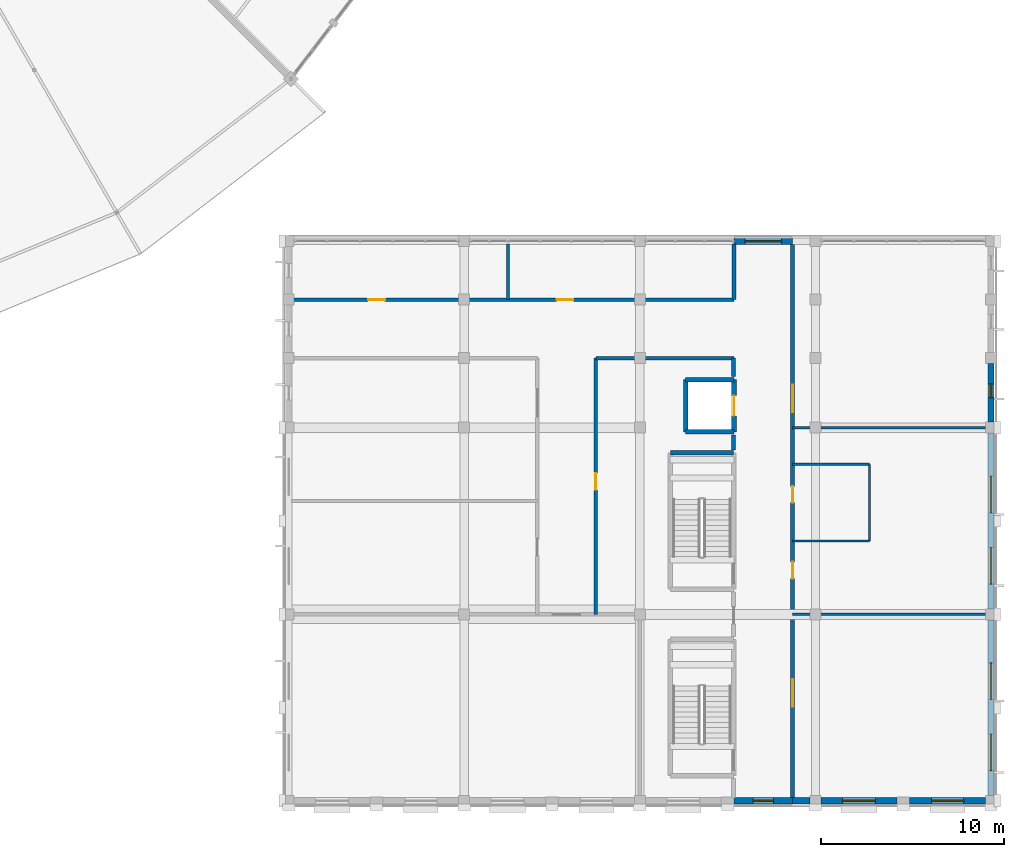
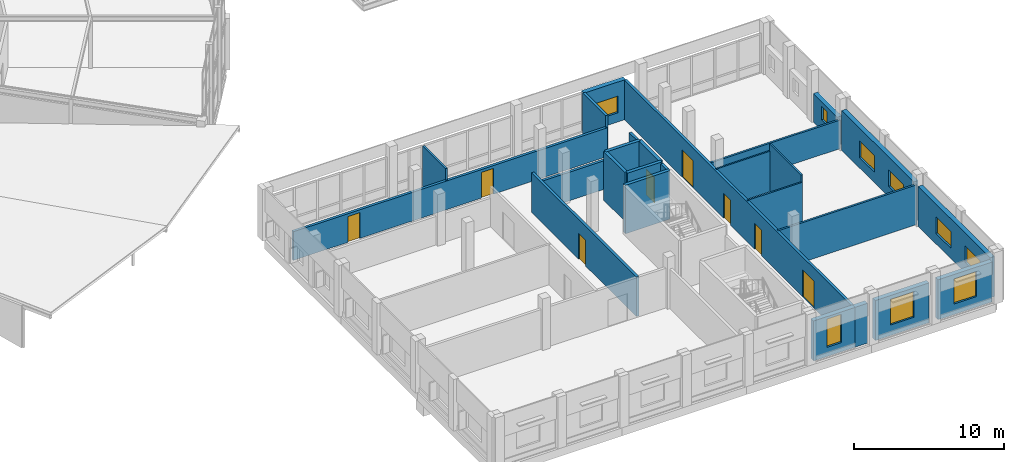
# One storey, part 165 of 185: 26 walls, 9 windows, 8 doors, 17 openings.
"""IFC4 building model written with IfcOpenShell, lengths in metres."""

from ifc_helpers import new_model, si_unit, direction, frame, frame_2d, origin, place, context, subcontext, project, spatial, rectangle, extrude, material, layer, layer_set, type_object, element, fill, save


model = new_model("IFC4")

# Units and contexts
model_context = context("Model", 3, precision=1e-05, world=origin(), true_north=direction((0.0, 1.0)))
body_context = subcontext(model_context, "Body", "Model", "MODEL_VIEW")
ifc_project = project(units=[si_unit("LENGTHUNIT", "METRE"), si_unit("AREAUNIT", "SQUARE_METRE"), si_unit("VOLUMEUNIT", "CUBIC_METRE"), si_unit("PLANEANGLEUNIT", "RADIAN"), si_unit("MASSUNIT", "GRAM", prefix="KILO")], contexts=[model_context])

# Site, building, storey
site_placement = place(None, origin())
site = spatial("IfcSite", under=ifc_project, at=site_placement, CompositionType="ELEMENT")
building_placement = place(site_placement, origin())
building = spatial("IfcBuilding", under=site, at=building_placement, Name="Vondelvale Polytechnic", CompositionType="ELEMENT")
storey_placement = place(building_placement, frame((0.0, 0.0, 9.60009765625)))
storey = spatial("IfcBuildingStorey", under=building, at=storey_placement, Name="L02", CompositionType="ELEMENT", Elevation=9.60009765625)

# Wall, opening, window
ifc_material_1 = material(Name="Amsterdam School iron-spot clinker clay brickwork", Category="masonry")
ifc_layer_1 = layer(ifc_material_1, 0.35009765625)
ifc_layer_set_1 = layer_set([ifc_layer_1], Name="WL-BRICK-350")
wall_type_1 = type_object("IfcWallType", Name="WL-BRICK-350", PredefinedType="SOLIDWALL", material=ifc_layer_set_1)
wall_1_placement = place(storey_placement, frame((161.949951171875, 0.0, 0.0), z_axis=(0.0, 0.0, 1.0), x_axis=(-1.0, 0.0, 0.0)))
wall_1 = element("IfcWall", 1, at=wall_1_placement, inside=storey, type_object=wall_type_1, Name="L02 exterior masonry facade wall", PredefinedType="SOLIDWALL", context=body_context, shape_type="SweptSolid", body=[
    extrude(rectangle(XDim=3.198974609375, YDim=0.35009765625, at=frame_2d((1.599609375, 0.0))), origin(), (0.0, 0.0, 1.0), 3.25),
])
opening_1_placement = place(wall_1_placement, frame((1.049560546875, 0.0, 0.75)))
opening_1 = element("IfcOpeningElement", 2, at=opening_1_placement, cuts=wall_1, Name="Opening WN-0374", PredefinedType="OPENING", context=body_context, shape_type="SweptSolid", body=[
    extrude(rectangle(XDim=1.10009765625, YDim=2.300048828125, at=frame_2d((0.550048828125, 1.14990234375))), frame((0.0, 0.18505859375, 0.0), z_axis=(0.0, -1.0, 0.0), x_axis=(1.0, 0.0, 0.0)), (0.0, 0.0, 1.0), 0.3701171875),
])
ifc_material_2 = material(Name="Double-glazed low-E insulated architectural glass", Category="glass")
window_type_1 = type_object("IfcWindowType", Name="WN-ARCH-1100x2300", PartitioningType="SINGLE_PANEL", PredefinedType="WINDOW", material=ifc_material_2)
window_1_placement = place(opening_1_placement, origin())
window_1 = element("IfcWindow", 3, at=window_1_placement, inside=storey, type_object=window_type_1, Name="L02 double-glazed architectural window WN-0374", OverallHeight=2.300048828125, OverallWidth=1.10009765625, PartitioningType="SINGLE_PANEL", PredefinedType="WINDOW", context=body_context, shape_type="SweptSolid", body=[
    extrude(rectangle(XDim=1.10009765625, YDim=2.300048828125, at=frame_2d((0.550048828125, 1.14990234375))), frame((0.0, 0.030029296875, 0.0), z_axis=(0.0, -1.0, 0.0), x_axis=(1.0, 0.0, 0.0)), (0.0, 0.0, 1.0), 0.06005859375),
])
fill(opening_1, window_1)

# Wall
wall_2_placement = place(storey_placement, frame((162.89892578125, 0.0, 0.0), z_axis=(0.0, 0.0, 1.0), x_axis=(-1.0, 0.0, 0.0)))
element("IfcWall", 4, at=wall_2_placement, inside=storey, type_object=wall_type_1, Name="L02 exterior masonry facade wall", PredefinedType="SOLIDWALL", context=body_context, shape_type="SweptSolid", body=[
    extrude(rectangle(XDim=0.948974609375, YDim=0.35009765625, at=frame_2d((0.474609375, 0.0))), origin(), (0.0, 0.0, 1.0), 3.25),
])

# Wall, opening, window
wall_3_placement = place(storey_placement, frame((167.64892578125, 0.0, 0.0), z_axis=(0.0, 0.0, 1.0), x_axis=(-1.0, 0.0, 0.0)))
wall_3 = element("IfcWall", 5, at=wall_3_placement, inside=storey, type_object=wall_type_1, Name="L02 exterior masonry facade wall", PredefinedType="SOLIDWALL", context=body_context, shape_type="SweptSolid", body=[
    extrude(rectangle(XDim=4.14794921875, YDim=0.35009765625, at=frame_2d((2.073974609375, 0.0))), origin(), (0.0, 0.0, 1.0), 3.25),
])
opening_2_placement = place(wall_3_placement, frame((1.174072265625, 0.0, 0.85009765625)))
opening_2 = element("IfcOpeningElement", 6, at=opening_2_placement, cuts=wall_3, Name="Opening WN-0375", PredefinedType="OPENING", context=body_context, shape_type="SweptSolid", body=[
    extrude(rectangle(XDim=1.800048828125, YDim=2.10009765625, at=frame_2d((0.89990234375, 1.050048828125))), frame((0.0, 0.18505859375, 0.0), z_axis=(0.0, -1.0, 0.0), x_axis=(1.0, 0.0, 0.0)), (0.0, 0.0, 1.0), 0.3701171875),
])
window_type_2 = type_object("IfcWindowType", Name="WN-LAB-1800x2100", PartitioningType="SINGLE_PANEL", PredefinedType="WINDOW", material=ifc_material_2)
window_2_placement = place(opening_2_placement, origin())
window_2 = element("IfcWindow", 7, at=window_2_placement, inside=storey, type_object=window_type_2, Name="L02 double-glazed architectural window WN-0375", OverallHeight=2.10009765625, OverallWidth=1.800048828125, PartitioningType="SINGLE_PANEL", PredefinedType="WINDOW", context=body_context, shape_type="SweptSolid", body=[
    extrude(rectangle(XDim=1.800048828125, YDim=2.10009765625, at=frame_2d((0.89990234375, 1.050048828125))), frame((0.0, 0.030029296875, 0.0), z_axis=(0.0, -1.0, 0.0), x_axis=(1.0, 0.0, 0.0)), (0.0, 0.0, 1.0), 0.06005859375),
])
fill(opening_2, window_2)

wall_4_placement = place(storey_placement, frame((172.4990234375, 0.0, 0.0), z_axis=(0.0, 0.0, 1.0), x_axis=(-1.0, 0.0, 0.0)))
wall_4 = element("IfcWall", 8, at=wall_4_placement, inside=storey, type_object=wall_type_1, Name="L02 exterior masonry facade wall", PredefinedType="SOLIDWALL", context=body_context, shape_type="SweptSolid", body=[
    extrude(rectangle(XDim=4.14794921875, YDim=0.35009765625, at=frame_2d((2.073974609375, 0.0))), origin(), (0.0, 0.0, 1.0), 3.25),
])
opening_3_placement = place(wall_4_placement, frame((1.198974609375, 0.0, 0.85009765625)))
opening_3 = element("IfcOpeningElement", 9, at=opening_3_placement, cuts=wall_4, Name="Opening WN-0376", PredefinedType="OPENING", context=body_context, shape_type="SweptSolid", body=[
    extrude(rectangle(XDim=1.75, YDim=2.050048828125, at=frame_2d((0.875, 1.02490234375))), frame((0.0, 0.18505859375, 0.0), z_axis=(0.0, -1.0, 0.0), x_axis=(1.0, 0.0, 0.0)), (0.0, 0.0, 1.0), 0.3701171875),
])
window_type_3 = type_object("IfcWindowType", Name="WN-LAB-1750x2050", PartitioningType="SINGLE_PANEL", PredefinedType="WINDOW", material=ifc_material_2)
window_3_placement = place(opening_3_placement, origin())
window_3 = element("IfcWindow", 10, at=window_3_placement, inside=storey, type_object=window_type_3, Name="L02 double-glazed architectural window WN-0376", OverallHeight=2.050048828125, OverallWidth=1.75, PartitioningType="SINGLE_PANEL", PredefinedType="WINDOW", context=body_context, shape_type="SweptSolid", body=[
    extrude(rectangle(XDim=1.75, YDim=2.050048828125, at=frame_2d((0.875, 1.02490234375))), frame((0.0, 0.030029296875, 0.0), z_axis=(0.0, -1.0, 0.0), x_axis=(1.0, 0.0, 0.0)), (0.0, 0.0, 1.0), 0.06005859375),
])
fill(opening_3, window_3)

# Wall, openings, windows
wall_5_placement = place(storey_placement, frame((172.800048828125, 9.89892578125, 0.0), z_axis=(0.0, 0.0, 1.0), x_axis=(0.0, -1.0, 0.0)))
wall_5 = element("IfcWall", 11, at=wall_5_placement, inside=storey, type_object=wall_type_1, Name="L02 exterior masonry facade wall", PredefinedType="SOLIDWALL", context=body_context, shape_type="SweptSolid", body=[
    extrude(rectangle(XDim=9.597900390625, YDim=0.35009765625, at=frame_2d((4.798828125, 0.0))), origin(), (0.0, 0.0, 1.0), 3.25),
])
opening_4_placement = place(wall_5_placement, frame((6.248046875, 0.0, 0.85009765625)))
opening_4 = element("IfcOpeningElement", 12, at=opening_4_placement, cuts=wall_5, Name="Opening WN-0384", PredefinedType="OPENING", context=body_context, shape_type="SweptSolid", body=[
    extrude(rectangle(XDim=2.0, YDim=1.35009765625, at=frame_2d((1.0, 0.675048828125))), frame((0.0, 0.18505859375, 0.0), z_axis=(0.0, -1.0, 0.0), x_axis=(1.0, 0.0, 0.0)), (0.0, 0.0, 1.0), 0.3701171875),
])
opening_5_placement = place(wall_5_placement, frame((2.347900390625, 0.0, 0.85009765625)))
opening_5 = element("IfcOpeningElement", 13, at=opening_5_placement, cuts=wall_5, Name="Opening WN-0385", PredefinedType="OPENING", context=body_context, shape_type="SweptSolid", body=[
    extrude(rectangle(XDim=2.0, YDim=1.35009765625, at=frame_2d((1.0, 0.675048828125))), frame((0.0, 0.18505859375, 0.0), z_axis=(0.0, -1.0, 0.0), x_axis=(1.0, 0.0, 0.0)), (0.0, 0.0, 1.0), 0.3701171875),
])
window_type_4 = type_object("IfcWindowType", Name="WN-RIB-2000x1350", PartitioningType="SINGLE_PANEL", PredefinedType="WINDOW", material=ifc_material_2)
window_4_placement = place(opening_4_placement, origin())
window_4 = element("IfcWindow", 14, at=window_4_placement, inside=storey, type_object=window_type_4, Name="L02 double-glazed architectural window WN-0384", OverallHeight=1.35009765625, OverallWidth=2.0, PartitioningType="SINGLE_PANEL", PredefinedType="WINDOW", context=body_context, shape_type="SweptSolid", body=[
    extrude(rectangle(XDim=2.0, YDim=1.35009765625, at=frame_2d((1.0, 0.675048828125))), frame((0.0, 0.030029296875, 0.0), z_axis=(0.0, -1.0, 0.0), x_axis=(1.0, 0.0, 0.0)), (0.0, 0.0, 1.0), 0.06005859375),
])
fill(opening_4, window_4)
window_5_placement = place(opening_5_placement, origin())
window_5 = element("IfcWindow", 15, at=window_5_placement, inside=storey, type_object=window_type_4, Name="L02 double-glazed architectural window WN-0385", OverallHeight=1.35009765625, OverallWidth=2.0, PartitioningType="SINGLE_PANEL", PredefinedType="WINDOW", context=body_context, shape_type="SweptSolid", body=[
    extrude(rectangle(XDim=2.0, YDim=1.35009765625, at=frame_2d((1.0, 0.675048828125))), frame((0.0, 0.030029296875, 0.0), z_axis=(0.0, -1.0, 0.0), x_axis=(1.0, 0.0, 0.0)), (0.0, 0.0, 1.0), 0.06005859375),
])
fill(opening_5, window_5)

wall_6_placement = place(storey_placement, frame((172.800048828125, 20.09912109375, 0.0), z_axis=(0.0, 0.0, 1.0), x_axis=(0.0, -1.0, 0.0)))
wall_6 = element("IfcWall", 16, at=wall_6_placement, inside=storey, type_object=wall_type_1, Name="L02 exterior masonry facade wall", PredefinedType="SOLIDWALL", context=body_context, shape_type="SweptSolid", body=[
    extrude(rectangle(XDim=9.59814453125, YDim=0.35009765625, at=frame_2d((4.799072265625, 0.0))), origin(), (0.0, 0.0, 1.0), 3.25),
])
opening_6_placement = place(wall_6_placement, frame((6.248046875, 0.0, 0.85009765625)))
opening_6 = element("IfcOpeningElement", 17, at=opening_6_placement, cuts=wall_6, Name="Opening WN-0386", PredefinedType="OPENING", context=body_context, shape_type="SweptSolid", body=[
    extrude(rectangle(XDim=2.0, YDim=1.35009765625, at=frame_2d((1.0, 0.675048828125))), frame((0.0, 0.18505859375, 0.0), z_axis=(0.0, -1.0, 0.0), x_axis=(1.0, 0.0, 0.0)), (0.0, 0.0, 1.0), 0.3701171875),
])
opening_7_placement = place(wall_6_placement, frame((2.347900390625, 0.0, 0.85009765625)))
opening_7 = element("IfcOpeningElement", 18, at=opening_7_placement, cuts=wall_6, Name="Opening WN-0387", PredefinedType="OPENING", context=body_context, shape_type="SweptSolid", body=[
    extrude(rectangle(XDim=2.0, YDim=1.35009765625, at=frame_2d((1.0, 0.675048828125))), frame((0.0, 0.18505859375, 0.0), z_axis=(0.0, -1.0, 0.0), x_axis=(1.0, 0.0, 0.0)), (0.0, 0.0, 1.0), 0.3701171875),
])
window_6_placement = place(opening_6_placement, origin())
window_6 = element("IfcWindow", 19, at=window_6_placement, inside=storey, type_object=window_type_4, Name="L02 double-glazed architectural window WN-0386", OverallHeight=1.35009765625, OverallWidth=2.0, PartitioningType="SINGLE_PANEL", PredefinedType="WINDOW", context=body_context, shape_type="SweptSolid", body=[
    extrude(rectangle(XDim=2.0, YDim=1.35009765625, at=frame_2d((1.0, 0.675048828125))), frame((0.0, 0.030029296875, 0.0), z_axis=(0.0, -1.0, 0.0), x_axis=(1.0, 0.0, 0.0)), (0.0, 0.0, 1.0), 0.06005859375),
])
fill(opening_6, window_6)
window_7_placement = place(opening_7_placement, origin())
window_7 = element("IfcWindow", 20, at=window_7_placement, inside=storey, type_object=window_type_4, Name="L02 double-glazed architectural window WN-0387", OverallHeight=1.35009765625, OverallWidth=2.0, PartitioningType="SINGLE_PANEL", PredefinedType="WINDOW", context=body_context, shape_type="SweptSolid", body=[
    extrude(rectangle(XDim=2.0, YDim=1.35009765625, at=frame_2d((1.0, 0.675048828125))), frame((0.0, 0.030029296875, 0.0), z_axis=(0.0, -1.0, 0.0), x_axis=(1.0, 0.0, 0.0)), (0.0, 0.0, 1.0), 0.06005859375),
])
fill(opening_7, window_7)

# Wall, opening, window
wall_7_placement = place(storey_placement, frame((172.800048828125, 23.89892578125, 0.0), z_axis=(0.0, 0.0, 1.0), x_axis=(0.0, -1.0, 0.0)))
wall_7 = element("IfcWall", 21, at=wall_7_placement, inside=storey, type_object=wall_type_1, Name="L02 exterior masonry facade wall", PredefinedType="SOLIDWALL", context=body_context, shape_type="SweptSolid", body=[
    extrude(rectangle(XDim=3.197998046875, YDim=0.35009765625, at=frame_2d((1.59912109375, 0.0))), origin(), (0.0, 0.0, 1.0), 2.329833984375),
])
opening_8_placement = place(wall_7_placement, frame((1.097900390625, 0.0, 0.85009765625)))
opening_8 = element("IfcOpeningElement", 22, at=opening_8_placement, cuts=wall_7, Name="Opening WN-0390", PredefinedType="OPENING", context=body_context, shape_type="SweptSolid", body=[
    extrude(rectangle(XDim=0.75, YDim=1.10009765625, at=frame_2d((0.375, 0.550048828125))), frame((0.0, 0.18505859375, 0.0), z_axis=(0.0, -1.0, 0.0), x_axis=(1.0, 0.0, 0.0)), (0.0, 0.0, 1.0), 0.3701171875),
])
window_type_5 = type_object("IfcWindowType", Name="WN-WC-0750x1100", PartitioningType="SINGLE_PANEL", PredefinedType="WINDOW", material=ifc_material_2)
window_8_placement = place(opening_8_placement, origin())
window_8 = element("IfcWindow", 23, at=window_8_placement, inside=storey, type_object=window_type_5, Name="L02 double-glazed architectural window WN-0390", OverallHeight=1.10009765625, OverallWidth=0.75, PartitioningType="SINGLE_PANEL", PredefinedType="WINDOW", context=body_context, shape_type="SweptSolid", body=[
    extrude(rectangle(XDim=0.75, YDim=1.10009765625, at=frame_2d((0.375, 0.550048828125))), frame((0.0, 0.030029296875, 0.0), z_axis=(0.0, -1.0, 0.0), x_axis=(1.0, 0.0, 0.0)), (0.0, 0.0, 1.0), 0.06005859375),
])
fill(opening_8, window_8)

wall_8_placement = place(storey_placement, frame((158.75, 30.60009765625, 0.0), z_axis=(0.0, 0.0, 1.0), x_axis=(1.0, 0.0, 0.0)))
wall_8 = element("IfcWall", 24, at=wall_8_placement, inside=storey, type_object=wall_type_1, Name="L02 exterior masonry facade wall", PredefinedType="SOLIDWALL", context=body_context, shape_type="SweptSolid", body=[
    extrude(rectangle(XDim=3.199951171875, YDim=0.35009765625, at=frame_2d((1.60009765625, 0.0))), origin(), (0.0, 0.0, 1.0), 3.25),
])
opening_9_placement = place(wall_8_placement, frame((0.60009765625, 0.0, 0.75)))
opening_9 = element("IfcOpeningElement", 25, at=opening_9_placement, cuts=wall_8, Name="Opening WN-0391", PredefinedType="OPENING", context=body_context, shape_type="SweptSolid", body=[
    extrude(rectangle(XDim=2.0, YDim=1.35009765625, at=frame_2d((1.0, 0.675048828125))), frame((0.0, 0.18505859375, 0.0), z_axis=(0.0, -1.0, 0.0), x_axis=(1.0, 0.0, 0.0)), (0.0, 0.0, 1.0), 0.3701171875),
])
window_9_placement = place(opening_9_placement, origin())
window_9 = element("IfcWindow", 26, at=window_9_placement, inside=storey, type_object=window_type_4, Name="L02 double-glazed architectural window WN-0391", OverallHeight=1.35009765625, OverallWidth=2.0, PartitioningType="SINGLE_PANEL", PredefinedType="WINDOW", context=body_context, shape_type="SweptSolid", body=[
    extrude(rectangle(XDim=2.0, YDim=1.35009765625, at=frame_2d((1.0, 0.675048828125))), frame((0.0, 0.030029296875, 0.0), z_axis=(0.0, -1.0, 0.0), x_axis=(1.0, 0.0, 0.0)), (0.0, 0.0, 1.0), 0.06005859375),
])
fill(opening_9, window_9)

# Wall
ifc_material_3 = material(Name="Concrete N40 (f'c = 40 MPa)", Category="concrete")
ifc_layer_2 = layer(ifc_material_3, 0.25)
ifc_layer_set_2 = layer_set([ifc_layer_2], Name="WL-CORE-250")
wall_type_2 = type_object("IfcWallType", Name="WL-CORE-250", PredefinedType="SOLIDWALL", material=ifc_layer_set_2)
wall_9_placement = place(storey_placement, frame((158.72509765625, 19.02490234375, 0.0), z_axis=(0.0, 0.0, 1.0), x_axis=(-1.0, 0.0, 0.0)))
element("IfcWall", 27, at=wall_9_placement, inside=storey, type_object=wall_type_2, Name="L02 ST-07 reinforced concrete stair core wall", PredefinedType="SOLIDWALL", context=body_context, shape_type="SweptSolid", body=[
    extrude(rectangle(XDim=3.4501953125, YDim=0.25, at=frame_2d((1.72509765625, 0.0))), origin(), (0.0, 0.0, 1.0), 3.949951171875),
])

# Wall, opening, door
ifc_material_4 = material(Name="Fire-rated double-layer plasterboard stud partition")
ifc_layer_3 = layer(ifc_material_4, 0.199951171875)
ifc_layer_set_3 = layer_set([ifc_layer_3], Name="WL-CORR-200")
wall_type_3 = type_object("IfcWallType", Name="WL-CORR-200", PredefinedType="PARTITIONING", material=ifc_layer_set_3)
wall_10_placement = place(storey_placement, frame((151.199951171875, 10.199951171875, 0.0), z_axis=(0.0, 0.0, 1.0), x_axis=(0.0, 1.0, 0.0)))
wall_10 = element("IfcWall", 28, at=wall_10_placement, inside=storey, type_object=wall_type_3, Name="L02 interior acoustic partition", PredefinedType="PARTITIONING", context=body_context, shape_type="SweptSolid", body=[
    extrude(rectangle(XDim=14.0, YDim=0.199951171875, at=frame_2d((7.0, 0.0))), origin(), (0.0, 0.0, 1.0), 3.22998046875),
])
opening_10_placement = place(wall_10_placement, frame((6.800048828125, 0.0, 0.0)))
opening_10 = element("IfcOpeningElement", 29, at=opening_10_placement, cuts=wall_10, Name="Opening ID-0246", PredefinedType="OPENING", context=body_context, shape_type="SweptSolid", body=[
    extrude(rectangle(XDim=0.919921875, YDim=2.10009765625, at=frame_2d((0.4599609375, 1.050048828125))), frame((0.0, 0.10986328125, 0.0), z_axis=(0.0, -1.0, 0.0), x_axis=(1.0, 0.0, 0.0)), (0.0, 0.0, 1.0), 0.219970703125),
])
ifc_material_5 = material(Name="Fire-rated solid Tasmanian oak joinery")
door_type_1 = type_object("IfcDoorType", Name="DR-INT-0920x2100", OperationType="SINGLE_SWING_LEFT", PredefinedType="DOOR", material=ifc_material_5)
door_1_placement = place(opening_10_placement, origin())
door_1 = element("IfcDoor", 30, at=door_1_placement, inside=storey, type_object=door_type_1, Name="L02 interior room door ID-0246", OperationType="SINGLE_SWING_RIGHT", OverallHeight=2.10009765625, OverallWidth=0.919921875, PredefinedType="DOOR", context=body_context, shape_type="SweptSolid", body=[
    extrude(rectangle(XDim=0.919921875, YDim=2.10009765625, at=frame_2d((0.4599609375, 1.050048828125))), frame((0.0, 0.02490234375, 0.0), z_axis=(0.0, -1.0, 0.0), x_axis=(1.0, 0.0, 0.0)), (0.0, 0.0, 1.0), 0.050048828125),
])
fill(opening_10, door_1)

# Walls
wall_11_placement = place(storey_placement, frame((151.199951171875, 24.199951171875, 0.0), z_axis=(0.0, 0.0, 1.0), x_axis=(1.0, 0.0, 0.0)))
element("IfcWall", 31, at=wall_11_placement, inside=storey, type_object=wall_type_3, Name="L02 interior acoustic partition", PredefinedType="PARTITIONING", context=body_context, shape_type="SweptSolid", body=[
    extrude(rectangle(XDim=7.550048828125, YDim=0.199951171875, at=frame_2d((3.77490234375, 0.0))), origin(), (0.0, 0.0, 1.0), 2.329833984375),
])
wall_12_placement = place(storey_placement, frame((158.72509765625, 19.18994140625, 0.0), z_axis=(0.0, 0.0, 1.0), x_axis=(0.0, 1.0, 0.0)))
element("IfcWall", 32, at=wall_12_placement, inside=storey, type_object=wall_type_3, Name="L02 interior acoustic partition", PredefinedType="PARTITIONING", context=body_context, shape_type="SweptSolid", body=[
    extrude(rectangle(XDim=0.820068359375, YDim=0.199951171875, at=frame_2d((0.41015625, 0.0))), origin(), (0.0, 0.0, 1.0), 3.849853515625),
])
wall_13_placement = place(storey_placement, frame((158.72509765625, 23.18994140625, 0.0), z_axis=(0.0, 0.0, 1.0), x_axis=(0.0, 1.0, 0.0)))
element("IfcWall", 33, at=wall_13_placement, inside=storey, type_object=wall_type_3, Name="L02 interior acoustic partition", PredefinedType="PARTITIONING", context=body_context, shape_type="SweptSolid", body=[
    extrude(rectangle(XDim=1.010009765625, YDim=0.199951171875, at=frame_2d((0.5048828125, 0.0))), origin(), (0.0, 0.0, 1.0), 3.849853515625),
])

# Wall, openings, doors
wall_14_placement = place(storey_placement, frame((134.550048828125, 27.39990234375, 0.0), z_axis=(0.0, 0.0, 1.0), x_axis=(1.0, 0.0, 0.0)))
wall_14 = element("IfcWall", 34, at=wall_14_placement, inside=storey, type_object=wall_type_3, Name="L02 interior acoustic partition", PredefinedType="PARTITIONING", context=body_context, shape_type="SweptSolid", body=[
    extrude(rectangle(XDim=24.199951171875, YDim=0.199951171875, at=frame_2d((12.10009765625, 0.0))), origin(), (0.0, 0.0, 1.0), 2.329833984375),
])
opening_11_placement = place(wall_14_placement, frame((4.199951171875, 0.0, 0.0)))
opening_11 = element("IfcOpeningElement", 35, at=opening_11_placement, cuts=wall_14, Name="Opening ID-0248", PredefinedType="OPENING", context=body_context, shape_type="SweptSolid", body=[
    extrude(rectangle(XDim=0.919921875, YDim=2.10009765625, at=frame_2d((0.4599609375, 1.050048828125))), frame((0.0, 0.10986328125, 0.0), z_axis=(0.0, -1.0, 0.0), x_axis=(1.0, 0.0, 0.0)), (0.0, 0.0, 1.0), 0.219970703125),
])
opening_12_placement = place(wall_14_placement, frame((14.5, 0.0, 0.0)))
opening_12 = element("IfcOpeningElement", 36, at=opening_12_placement, cuts=wall_14, Name="Opening ID-0249", PredefinedType="OPENING", context=body_context, shape_type="SweptSolid", body=[
    extrude(rectangle(XDim=0.919921875, YDim=2.10009765625, at=frame_2d((0.4599609375, 1.050048828125))), frame((0.0, 0.10986328125, 0.0), z_axis=(0.0, -1.0, 0.0), x_axis=(1.0, 0.0, 0.0)), (0.0, 0.0, 1.0), 0.219970703125),
])
door_2_placement = place(opening_11_placement, origin())
door_2 = element("IfcDoor", 37, at=door_2_placement, inside=storey, type_object=door_type_1, Name="L02 interior room door ID-0248", OperationType="SINGLE_SWING_RIGHT", OverallHeight=2.10009765625, OverallWidth=0.919921875, PredefinedType="DOOR", context=body_context, shape_type="SweptSolid", body=[
    extrude(rectangle(XDim=0.919921875, YDim=2.10009765625, at=frame_2d((0.4599609375, 1.050048828125))), frame((0.0, 0.02490234375, 0.0), z_axis=(0.0, -1.0, 0.0), x_axis=(1.0, 0.0, 0.0)), (0.0, 0.0, 1.0), 0.050048828125),
])
fill(opening_11, door_2)
door_3_placement = place(opening_12_placement, origin())
door_3 = element("IfcDoor", 38, at=door_3_placement, inside=storey, type_object=door_type_1, Name="L02 interior room door ID-0249", OperationType="SINGLE_SWING_LEFT", OverallHeight=2.10009765625, OverallWidth=0.919921875, PredefinedType="DOOR", context=body_context, shape_type="SweptSolid", body=[
    extrude(rectangle(XDim=0.919921875, YDim=2.10009765625, at=frame_2d((0.4599609375, 1.050048828125))), frame((0.0, 0.02490234375, 0.0), z_axis=(0.0, -1.0, 0.0), x_axis=(1.0, 0.0, 0.0)), (0.0, 0.0, 1.0), 0.050048828125),
])
fill(opening_12, door_3)

# Wall
wall_15_placement = place(storey_placement, frame((158.75, 27.39990234375, 0.0), z_axis=(0.0, 0.0, 1.0), x_axis=(0.0, 1.0, 0.0)))
element("IfcWall", 39, at=wall_15_placement, inside=storey, type_object=wall_type_3, Name="L02 interior acoustic partition", PredefinedType="PARTITIONING", context=body_context, shape_type="SweptSolid", body=[
    extrude(rectangle(XDim=3.050048828125, YDim=0.199951171875, at=frame_2d((1.52490234375, 0.0))), origin(), (0.0, 0.0, 1.0), 3.27978515625),
])

# Wall, openings, doors
wall_16_placement = place(storey_placement, frame((161.949951171875, 0.14990234375, 0.0), z_axis=(0.0, 0.0, 1.0), x_axis=(0.0, 1.0, 0.0)))
wall_16 = element("IfcWall", 40, at=wall_16_placement, inside=storey, type_object=wall_type_3, Name="L02 interior acoustic partition", PredefinedType="PARTITIONING", context=body_context, shape_type="SweptSolid", body=[
    extrude(rectangle(XDim=30.300048828125, YDim=0.199951171875, at=frame_2d((15.14990234375, 0.0))), origin(), (0.0, 0.0, 1.0), 3.22998046875),
])
opening_13_placement = place(wall_16_placement, frame((5.0, 0.0, 0.0)))
opening_13 = element("IfcOpeningElement", 41, at=opening_13_placement, cuts=wall_16, Name="Opening ID-0250", PredefinedType="OPENING", context=body_context, shape_type="SweptSolid", body=[
    extrude(rectangle(XDim=1.5, YDim=2.199951171875, at=frame_2d((0.75, 1.10009765625))), frame((0.0, 0.10986328125, 0.0), z_axis=(0.0, -1.0, 0.0), x_axis=(1.0, 0.0, 0.0)), (0.0, 0.0, 1.0), 0.219970703125),
])
opening_14_placement = place(wall_16_placement, frame((12.0, 0.0, 0.0)))
opening_14 = element("IfcOpeningElement", 42, at=opening_14_placement, cuts=wall_16, Name="Opening ID-0251", PredefinedType="OPENING", context=body_context, shape_type="SweptSolid", body=[
    extrude(rectangle(XDim=0.919921875, YDim=2.10009765625, at=frame_2d((0.4599609375, 1.050048828125))), frame((0.0, 0.10986328125, 0.0), z_axis=(0.0, -1.0, 0.0), x_axis=(1.0, 0.0, 0.0)), (0.0, 0.0, 1.0), 0.219970703125),
])
opening_15_placement = place(wall_16_placement, frame((16.14990234375, 0.0, 0.0)))
opening_15 = element("IfcOpeningElement", 43, at=opening_15_placement, cuts=wall_16, Name="Opening ID-0252", PredefinedType="OPENING", context=body_context, shape_type="SweptSolid", body=[
    extrude(rectangle(XDim=0.89990234375, YDim=2.050048828125, at=frame_2d((0.449951171875, 1.02490234375))), frame((0.0, 0.10986328125, 0.0), z_axis=(0.0, -1.0, 0.0), x_axis=(1.0, 0.0, 0.0)), (0.0, 0.0, 1.0), 0.219970703125),
])
opening_16_placement = place(wall_16_placement, frame((21.10009765625, 0.0, 0.0)))
opening_16 = element("IfcOpeningElement", 44, at=opening_16_placement, cuts=wall_16, Name="Opening ID-0253", PredefinedType="OPENING", context=body_context, shape_type="SweptSolid", body=[
    extrude(rectangle(XDim=1.5, YDim=2.199951171875, at=frame_2d((0.75, 1.10009765625))), frame((0.0, 0.10986328125, 0.0), z_axis=(0.0, -1.0, 0.0), x_axis=(1.0, 0.0, 0.0)), (0.0, 0.0, 1.0), 0.219970703125),
])
door_4_placement = place(opening_14_placement, origin())
door_4 = element("IfcDoor", 45, at=door_4_placement, inside=storey, type_object=door_type_1, Name="L02 interior room door ID-0251", OperationType="SINGLE_SWING_LEFT", OverallHeight=2.10009765625, OverallWidth=0.919921875, PredefinedType="DOOR", context=body_context, shape_type="SweptSolid", body=[
    extrude(rectangle(XDim=0.919921875, YDim=2.10009765625, at=frame_2d((0.4599609375, 1.050048828125))), frame((0.0, 0.02490234375, 0.0), z_axis=(0.0, -1.0, 0.0), x_axis=(1.0, 0.0, 0.0)), (0.0, 0.0, 1.0), 0.050048828125),
])
fill(opening_14, door_4)
door_type_2 = type_object("IfcDoorType", Name="DR-LAB-1500x2200", OperationType="DOUBLE_DOOR_SINGLE_SWING", PredefinedType="DOOR", material=ifc_material_5)
door_5_placement = place(opening_13_placement, origin())
door_5 = element("IfcDoor", 46, at=door_5_placement, inside=storey, type_object=door_type_2, Name="L02 interior room door ID-0250", OperationType="DOUBLE_DOOR_SINGLE_SWING", OverallHeight=2.199951171875, OverallWidth=1.5, PredefinedType="DOOR", context=body_context, shape_type="SweptSolid", body=[
    extrude(rectangle(XDim=1.5, YDim=2.199951171875, at=frame_2d((0.75, 1.10009765625))), frame((0.0, 0.02490234375, 0.0), z_axis=(0.0, -1.0, 0.0), x_axis=(1.0, 0.0, 0.0)), (0.0, 0.0, 1.0), 0.050048828125),
])
fill(opening_13, door_5)
door_6_placement = place(opening_16_placement, origin())
door_6 = element("IfcDoor", 47, at=door_6_placement, inside=storey, type_object=door_type_2, Name="L02 interior room door ID-0253", OperationType="DOUBLE_DOOR_SINGLE_SWING", OverallHeight=2.199951171875, OverallWidth=1.5, PredefinedType="DOOR", context=body_context, shape_type="SweptSolid", body=[
    extrude(rectangle(XDim=1.5, YDim=2.199951171875, at=frame_2d((0.75, 1.10009765625))), frame((0.0, 0.02490234375, 0.0), z_axis=(0.0, -1.0, 0.0), x_axis=(1.0, 0.0, 0.0)), (0.0, 0.0, 1.0), 0.050048828125),
])
fill(opening_16, door_6)
door_type_3 = type_object("IfcDoorType", Name="DR-WC-0900x2050", OperationType="SINGLE_SWING_RIGHT", PredefinedType="DOOR", material=ifc_material_5)
door_7_placement = place(opening_15_placement, origin())
door_7 = element("IfcDoor", 48, at=door_7_placement, inside=storey, type_object=door_type_3, Name="L02 interior room door ID-0252", OperationType="SINGLE_SWING_RIGHT", OverallHeight=2.050048828125, OverallWidth=0.89990234375, PredefinedType="DOOR", context=body_context, shape_type="SweptSolid", body=[
    extrude(rectangle(XDim=0.89990234375, YDim=2.050048828125, at=frame_2d((0.449951171875, 1.02490234375))), frame((0.0, 0.02490234375, 0.0), z_axis=(0.0, -1.0, 0.0), x_axis=(1.0, 0.0, 0.0)), (0.0, 0.0, 1.0), 0.050048828125),
])
fill(opening_15, door_7)

# Walls
ifc_layer_4 = layer(ifc_material_4, 0.1201171875)
ifc_layer_set_4 = layer_set([ifc_layer_4], Name="WL-INT-120")
wall_type_4 = type_object("IfcWallType", Name="WL-INT-120", PredefinedType="PARTITIONING", material=ifc_layer_set_4)
wall_17_placement = place(storey_placement, frame((161.949951171875, 14.199951171875, 0.0), z_axis=(0.0, 0.0, 1.0), x_axis=(1.0, 0.0, 0.0)))
element("IfcWall", 49, at=wall_17_placement, inside=storey, type_object=wall_type_4, Name="L02 interior acoustic partition", PredefinedType="PARTITIONING", context=body_context, shape_type="SweptSolid", body=[
    extrude(rectangle(XDim=4.199951171875, YDim=0.1201171875, at=frame_2d((2.10009765625, 0.0))), origin(), (0.0, 0.0, 1.0), 3.27978515625),
])
wall_18_placement = place(storey_placement, frame((166.14990234375, 14.199951171875, 0.0), z_axis=(0.0, 0.0, 1.0), x_axis=(0.0, 1.0, 0.0)))
element("IfcWall", 50, at=wall_18_placement, inside=storey, type_object=wall_type_4, Name="L02 interior acoustic partition", PredefinedType="PARTITIONING", context=body_context, shape_type="SweptSolid", body=[
    extrude(rectangle(XDim=4.199951171875, YDim=0.1201171875, at=frame_2d((2.10009765625, 0.0))), origin(), (0.0, 0.0, 1.0), 3.849853515625),
])
wall_19_placement = place(storey_placement, frame((161.949951171875, 18.39990234375, 0.0), z_axis=(0.0, 0.0, 1.0), x_axis=(1.0, 0.0, 0.0)))
element("IfcWall", 51, at=wall_19_placement, inside=storey, type_object=wall_type_4, Name="L02 interior acoustic partition", PredefinedType="PARTITIONING", context=body_context, shape_type="SweptSolid", body=[
    extrude(rectangle(XDim=4.199951171875, YDim=0.1201171875, at=frame_2d((2.10009765625, 0.0))), origin(), (0.0, 0.0, 1.0), 3.27978515625),
])
ifc_layer_5 = layer(ifc_material_4, 0.14990234375)
ifc_layer_set_5 = layer_set([ifc_layer_5], Name="WL-INT-150")
wall_type_5 = type_object("IfcWallType", Name="WL-INT-150", PredefinedType="PARTITIONING", material=ifc_layer_set_5)
wall_20_placement = place(storey_placement, frame((146.39990234375, 27.39990234375, 0.0), z_axis=(0.0, 0.0, 1.0), x_axis=(0.0, 1.0, 0.0)))
element("IfcWall", 52, at=wall_20_placement, inside=storey, type_object=wall_type_5, Name="L02 interior acoustic partition", PredefinedType="PARTITIONING", context=body_context, shape_type="SweptSolid", body=[
    extrude(rectangle(XDim=3.050048828125, YDim=0.14990234375, at=frame_2d((1.52490234375, 0.0))), origin(), (0.0, 0.0, 1.0), 3.27978515625),
])
wall_21_placement = place(storey_placement, frame((161.949951171875, 10.199951171875, 0.0), z_axis=(0.0, 0.0, 1.0), x_axis=(1.0, 0.0, 0.0)))
element("IfcWall", 53, at=wall_21_placement, inside=storey, type_object=wall_type_5, Name="L02 interior acoustic partition", PredefinedType="PARTITIONING", context=body_context, shape_type="SweptSolid", body=[
    extrude(rectangle(XDim=10.699951171875, YDim=0.14990234375, at=frame_2d((5.35009765625, 0.0))), origin(), (0.0, 0.0, 1.0), 3.22998046875),
])
wall_22_placement = place(storey_placement, frame((161.949951171875, 20.39990234375, 0.0), z_axis=(0.0, 0.0, 1.0), x_axis=(1.0, 0.0, 0.0)))
element("IfcWall", 54, at=wall_22_placement, inside=storey, type_object=wall_type_5, Name="L02 interior acoustic partition", PredefinedType="PARTITIONING", context=body_context, shape_type="SweptSolid", body=[
    extrude(rectangle(XDim=10.699951171875, YDim=0.14990234375, at=frame_2d((5.35009765625, 0.0))), origin(), (0.0, 0.0, 1.0), 2.329833984375),
])
ifc_layer_6 = layer(ifc_material_3, 0.25)
ifc_layer_set_6 = layer_set([ifc_layer_6], Name="WL-SHAFT-250")
wall_type_6 = type_object("IfcWallType", Name="WL-SHAFT-250", PredefinedType="SOLIDWALL", material=ifc_layer_set_6)
wall_23_placement = place(storey_placement, frame((156.10009765625, 20.175048828125, 0.0), z_axis=(0.0, 0.0, 1.0), x_axis=(1.0, 0.0, 0.0)))
element("IfcWall", 55, at=wall_23_placement, inside=storey, type_object=wall_type_6, Name="L02 PL-03 lift shaft wall S", PredefinedType="SOLIDWALL", context=body_context, shape_type="SweptSolid", body=[
    extrude(rectangle(XDim=2.64990234375, YDim=0.25, at=frame_2d((1.324951171875, 0.0))), origin(), (0.0, 0.0, 1.0), 3.949951171875),
])

# Wall, opening, door
wall_24_placement = place(storey_placement, frame((158.75, 20.175048828125, 0.0), z_axis=(0.0, 0.0, 1.0), x_axis=(0.0, 1.0, 0.0)))
wall_24 = element("IfcWall", 56, at=wall_24_placement, inside=storey, type_object=wall_type_6, Name="L02 PL-03 lift shaft wall E", PredefinedType="SOLIDWALL", context=body_context, shape_type="SweptSolid", body=[
    extrude(rectangle(XDim=2.849853515625, YDim=0.25, at=frame_2d((1.4248046875, 0.0))), origin(), (0.0, 0.0, 1.0), 3.949951171875),
])
opening_17_placement = place(wall_24_placement, frame((0.875, 0.0, 0.0)))
opening_17 = element("IfcOpeningElement", 57, at=opening_17_placement, cuts=wall_24, Name="Opening LD-039", PredefinedType="OPENING", context=body_context, shape_type="SweptSolid", body=[
    extrude(rectangle(XDim=1.10009765625, YDim=2.10009765625, at=frame_2d((0.550048828125, 1.050048828125))), frame((0.0, 0.135009765625, 0.0), z_axis=(0.0, -1.0, 0.0), x_axis=(1.0, 0.0, 0.0)), (0.0, 0.0, 1.0), 0.27001953125),
])
ifc_material_6 = material(Name="Brushed architectural stainless and zinc-coated metal")
door_type_4 = type_object("IfcDoorType", Name="DR-LIFT-1100x2100", OperationType="SLIDING_TO_LEFT", PredefinedType="DOOR", material=ifc_material_6)
door_8_placement = place(opening_17_placement, origin())
door_8 = element("IfcDoor", 58, at=door_8_placement, inside=storey, type_object=door_type_4, Name="L02 PL-03 sliding lift landing door", OperationType="SLIDING_TO_LEFT", OverallHeight=2.10009765625, OverallWidth=1.10009765625, PredefinedType="DOOR", context=body_context, shape_type="SweptSolid", body=[
    extrude(rectangle(XDim=1.10009765625, YDim=2.10009765625, at=frame_2d((0.550048828125, 1.050048828125))), frame((0.0, 0.02490234375, 0.0), z_axis=(0.0, -1.0, 0.0), x_axis=(1.0, 0.0, 0.0)), (0.0, 0.0, 1.0), 0.050048828125),
])
fill(opening_17, door_8)

# Walls
wall_25_placement = place(storey_placement, frame((158.75, 23.02490234375, 0.0), z_axis=(0.0, 0.0, 1.0), x_axis=(-1.0, 0.0, 0.0)))
element("IfcWall", 59, at=wall_25_placement, inside=storey, type_object=wall_type_6, Name="L02 PL-03 lift shaft wall N", PredefinedType="SOLIDWALL", context=body_context, shape_type="SweptSolid", body=[
    extrude(rectangle(XDim=2.64990234375, YDim=0.25, at=frame_2d((1.324951171875, 0.0))), origin(), (0.0, 0.0, 1.0), 3.949951171875),
])
wall_26_placement = place(storey_placement, frame((156.10009765625, 23.02490234375, 0.0), z_axis=(0.0, 0.0, 1.0), x_axis=(0.0, -1.0, 0.0)))
element("IfcWall", 60, at=wall_26_placement, inside=storey, type_object=wall_type_6, Name="L02 PL-03 lift shaft wall W", PredefinedType="SOLIDWALL", context=body_context, shape_type="SweptSolid", body=[
    extrude(rectangle(XDim=2.849853515625, YDim=0.25, at=frame_2d((1.4248046875, 0.0))), origin(), (0.0, 0.0, 1.0), 3.949951171875),
])

save(model, "model.ifc")
